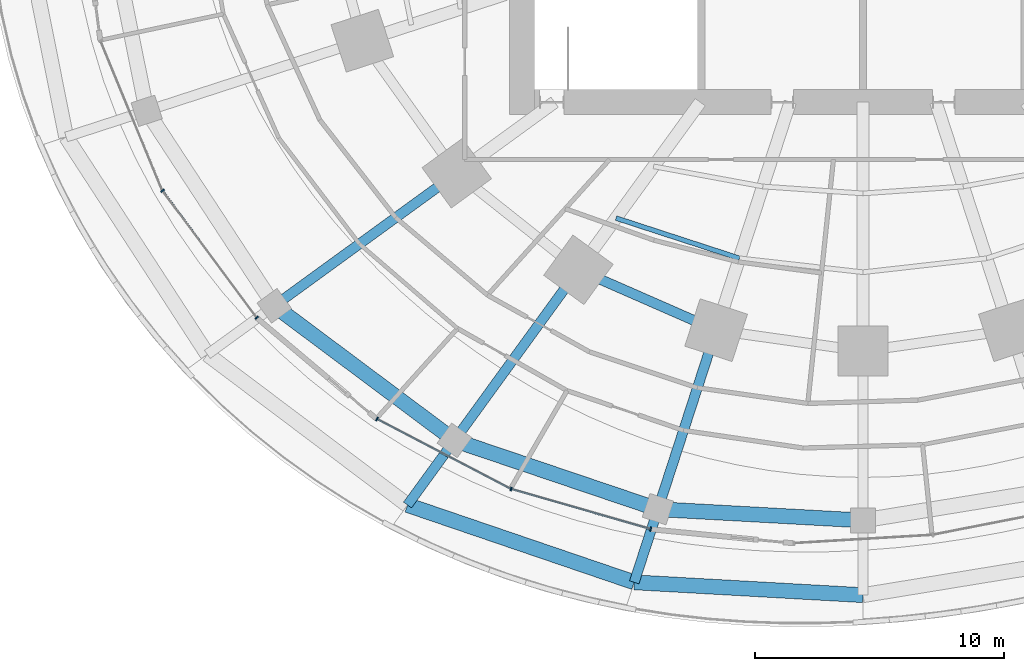
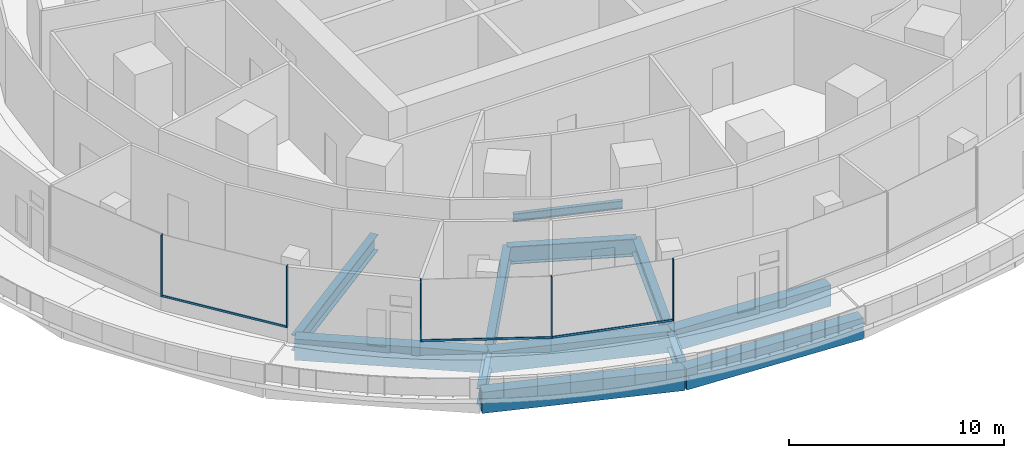
# One storey, part 2 of 26: 12 beams, 8 members, 3 elements without a shape of their own.
"""IFC4 building model written with IfcOpenShell, lengths in metres."""

import ifcopenshell
import ifcopenshell.guid

model = None  # the IFC model being written
_history = None  # IfcOwnerHistory: only IFC2X3 demands one
_inside = {}  # id of a spatial element -> (the spatial element, [elements in it])
_under = {}  # id of a project, library or spatial element -> (it, [spatial elements below it])
_declared = {}  # id of a project -> (the project, [libraries it declares])
_typed = {}  # id of a type object -> (the type object, [elements of that type])
_made_of = {}  # id of a material, layer set ... -> (it, [elements and type objects made of it])


def new_model(schema):
    """Start an empty IFC model of exactly this schema.

    Asked for "IFC4X3", IfcOpenShell would pick the latest addendum, in which some entities
    have other attributes; the version numbers below select the first issue.
    IFC2X3 requires an IfcOwnerHistory on every rooted entity: one is made here for all.
    """
    global model, _history
    if schema == "IFC4X3":
        model = ifcopenshell.file(schema_version=(4, 3, 0, 0))
    else:
        model = ifcopenshell.file(schema=schema)
    _inside.clear()
    _under.clear()
    _declared.clear()
    _typed.clear()
    _made_of.clear()
    _history = None
    if model.schema == "IFC2X3":
        org = make("IfcOrganization", Name="unknown")
        user = make(
            "IfcPersonAndOrganization",
            ThePerson=make("IfcPerson", FamilyName="unknown"),
            TheOrganization=org,
        )
        app = make(
            "IfcApplication",
            ApplicationDeveloper=org,
            Version="unknown",
            ApplicationFullName="unknown",
            ApplicationIdentifier="unknown",
        )
        _history = make(
            "IfcOwnerHistory",
            OwningUser=user,
            OwningApplication=app,
            ChangeAction="ADDED",
            CreationDate=0,
        )
    return model


def make(cls, **values):
    """One entity of the class cls with the attributes given. An attribute that is None is left unset."""
    return model.create_entity(
        cls, **{name: value for name, value in values.items() if value is not None}
    )


def rooted(cls, **values):
    """An entity with a GlobalId (a new one), such as an element, a storey or a relation."""
    return make(cls, GlobalId=ifcopenshell.guid.new(), OwnerHistory=_history, **values)


def si_unit(unit_type, name, prefix=None):
    """IfcSIUnit, for example si_unit("LENGTHUNIT", "METRE", prefix="MILLI")."""
    return make("IfcSIUnit", UnitType=unit_type, Prefix=prefix, Name=name)


def assignment(units):
    """IfcUnitAssignment: the units of a project."""
    return None if units is None else make("IfcUnitAssignment", Units=units)


def point(xyz):
    """IfcCartesianPoint."""
    return None if xyz is None else make("IfcCartesianPoint", Coordinates=xyz)


def direction(xyz):
    """IfcDirection."""
    return None if xyz is None else make("IfcDirection", DirectionRatios=xyz)


def frame(location, z_axis=None, x_axis=None):
    """IfcAxis2Placement3D, a coordinate frame: its origin and axes. An axis left out is left unset."""
    return make(
        "IfcAxis2Placement3D",
        Location=point(location),
        Axis=direction(z_axis),
        RefDirection=direction(x_axis),
    )


def frame_2d(location, x_axis=None):
    """IfcAxis2Placement2D, a coordinate frame in the plane: its origin and x axis."""
    return make(
        "IfcAxis2Placement2D", Location=point(location), RefDirection=direction(x_axis)
    )


def origin():
    """The frame at (0, 0, 0) with its axes left unset."""
    return frame((0.0, 0.0, 0.0))


def origin_2d():
    """The frame at (0, 0) in the plane with its x axis left unset."""
    return frame_2d((0.0, 0.0))


def place(relative_to, where):
    """IfcLocalPlacement: puts the frame where relative to a parent placement (None: the world)."""
    return make(
        "IfcLocalPlacement", PlacementRelTo=relative_to, RelativePlacement=where
    )


def context(
    kind, dimensions, precision=None, world=None, true_north=None, identifier=None
):
    """IfcGeometricRepresentationContext, for example the 3D "Model" context."""
    return make(
        "IfcGeometricRepresentationContext",
        ContextIdentifier=identifier,
        ContextType=kind,
        CoordinateSpaceDimension=dimensions,
        Precision=precision,
        WorldCoordinateSystem=world,
        TrueNorth=true_north,
    )


def subcontext(parent, identifier, kind, view, scale=None):
    """IfcGeometricRepresentationSubContext, for example "Body" below "Model"."""
    return make(
        "IfcGeometricRepresentationSubContext",
        ContextIdentifier=identifier,
        ContextType=kind,
        ParentContext=parent,
        TargetScale=scale,
        TargetView=view,
    )


def project(units=None, contexts=None):
    """IfcProject with its units and contexts."""
    return rooted(
        "IfcProject",
        Name="project",
        RepresentationContexts=contexts,
        UnitsInContext=assignment(units),
    )


def spatial(cls, under=None, at=None, **own):
    """A site, building, storey or space (cls), placed at a placement, below another one or the project."""
    s = rooted(cls, ObjectPlacement=at, **own)
    if under is not None:
        _under.setdefault(under.id(), (under, []))[1].append(s)
    return s


def profile(cls, at=None, kind="AREA", **sizes):
    """A parametric profile (cls). Its sizes go by their IFC names, for example OverallWidth=200.0."""
    return make(cls, ProfileType=kind, Position=at, **sizes)


def rectangle(**sizes):
    """IfcRectangleProfileDef."""
    return profile("IfcRectangleProfileDef", **sizes)


def i_section(**sizes):
    """IfcIShapeProfileDef."""
    return profile("IfcIShapeProfileDef", **sizes)


def extrude(swept, where, along, depth):
    """IfcExtrudedAreaSolid: the profile swept, set in the frame where, extruded along a direction by depth."""
    return make(
        "IfcExtrudedAreaSolid",
        SweptArea=swept,
        Position=where,
        ExtrudedDirection=direction(along),
        Depth=depth,
    )


def shape(context_of_items, identifier, shape_type, items):
    """IfcShapeRepresentation: the items that make up one representation, for example the "Body"."""
    return make(
        "IfcShapeRepresentation",
        ContextOfItems=context_of_items,
        RepresentationIdentifier=identifier,
        RepresentationType=shape_type,
        Items=items,
    )


def material(Name=None, Category=None):
    """IfcMaterial."""
    return make("IfcMaterial", Name=Name, Category=Category)


def material_profile(
    of_material, cross_section, Name=None, Category=None, Priority=None
):
    """IfcMaterialProfile: a cross section and its material."""
    return make(
        "IfcMaterialProfile",
        Name=Name,
        Material=of_material,
        Profile=cross_section,
        Priority=Priority,
        Category=Category,
    )


def profile_set(profiles, Name=None, composite=None):
    """IfcMaterialProfileSet."""
    return make(
        "IfcMaterialProfileSet",
        Name=Name,
        MaterialProfiles=profiles,
        CompositeProfile=composite,
    )


def made_of(thing, what):
    """Note that an element or type object is made of a material, layer set ...; save() writes the relation."""
    if what is not None:
        _made_of.setdefault(what.id(), (what, []))[1].append(thing)
    return thing


def type_object(cls, material=None, **own):
    """A type object (cls), such as IfcWallType, which elements share."""
    return made_of(rooted(cls, **own), material)


def element(
    cls,
    number,
    at=None,
    inside=None,
    cuts=None,
    type_object=None,
    material=None,
    context=None,
    identifier="Body",
    shape_type=None,
    held_by="IfcProductDefinitionShape",
    body=None,
    shapes=None,
    **own,
):
    """One element of the class cls, such as IfcWall. Its Tag is "e" and its number.

    at: its placement. inside: the storey or other place that contains it. cuts: it is an
    opening in that element (IfcRelVoidsElement). A single representation is given by context,
    identifier, shape_type and body (its items); several are given by shapes. held_by: the class
    of the entity that holds the representations. save() writes the other relations.
    """
    e = rooted(cls, Tag="e%d" % number, ObjectPlacement=at, **own)
    if body is not None:
        shapes = [shape(context, identifier, shape_type, body)]
    if shapes is not None:
        e.Representation = make(held_by, Representations=shapes)
    if inside is not None:
        _inside.setdefault(inside.id(), (inside, []))[1].append(e)
    if cuts is not None:
        rooted(
            "IfcRelVoidsElement", RelatingBuildingElement=cuts, RelatedOpeningElement=e
        )
    if type_object is not None:
        _typed.setdefault(type_object.id(), (type_object, []))[1].append(e)
    return made_of(e, material)


def aggregate(whole, parts):
    """IfcRelAggregates: a whole, such as a stair, and the parts it consists of."""
    return rooted("IfcRelAggregates", RelatingObject=whole, RelatedObjects=parts)


def save(model, path):
    """Write the relations noted so far, then the file.

    IfcRelAggregates (storeys below a building ...), IfcRelContainedInSpatialStructure (elements
    in a storey), IfcRelDefinesByType, IfcRelAssociatesMaterial and IfcRelDeclares: one each for
    every whole, place, type object, material and project.
    """
    for whole, parts in _under.values():
        aggregate(whole, parts)
    for where, things in _inside.values():
        rooted(
            "IfcRelContainedInSpatialStructure",
            RelatedElements=things,
            RelatingStructure=where,
        )
    for kind, things in _typed.values():
        rooted("IfcRelDefinesByType", RelatedObjects=things, RelatingType=kind)
    for what, things in _made_of.values():
        rooted("IfcRelAssociatesMaterial", RelatedObjects=things, RelatingMaterial=what)
    for by, libraries in _declared.values():
        rooted("IfcRelDeclares", RelatingContext=by, RelatedDefinitions=libraries)
    model.write(path)


model = new_model("IFC4")

# Units and contexts
model_context = context("Model", 3, precision=1e-05, world=origin(), true_north=direction((0.0, 1.0)))
body_context = subcontext(model_context, "Body", "Model", "MODEL_VIEW")
ifc_project = project(units=[si_unit("LENGTHUNIT", "METRE"), si_unit("AREAUNIT", "SQUARE_METRE"), si_unit("VOLUMEUNIT", "CUBIC_METRE"), si_unit("PLANEANGLEUNIT", "RADIAN"), si_unit("MASSUNIT", "GRAM", prefix="KILO")], contexts=[model_context])

# Site, building, storey
site_placement = place(None, origin())
site = spatial("IfcSite", under=ifc_project, at=site_placement, CompositionType="ELEMENT")
building_placement = place(site_placement, origin())
building = spatial("IfcBuilding", under=site, at=building_placement, Name="Marramba Exchange Tower", CompositionType="ELEMENT")
storey_placement = place(building_placement, frame((0.0, 0.0, 15.10009765625)))
storey = spatial("IfcBuildingStorey", under=building, at=storey_placement, Name="L03", CompositionType="ELEMENT", Elevation=15.10009765625)

# Beams
ifc_material_1 = material(Name="Concrete N50", Category="concrete")
ifc_material_profile_1 = material_profile(ifc_material_1, rectangle(XDim=0.60009765625, YDim=1.199951171875, at=origin_2d()), Name="RC 600x1200")
ifc_profile_set_1 = profile_set([ifc_material_profile_1], Name="Concrete N50")
beam_type_1 = type_object("IfcBeamType", Name="Edge beam RC 600x1200 N50", PredefinedType="SPANDREL", material=ifc_profile_set_1)
beam_1_placement = place(storey_placement, frame((-18.29443359375, -25.18017578125, -0.85009765625), z_axis=(0.946485697002, -0.322745759649, 0.0), x_axis=(0.322745759649, 0.946485697002, 0.0)))
element("IfcBeam", 1, at=beam_1_placement, inside=storey, type_object=beam_type_1, Name="Edge beam L03 P2C14", PredefinedType="SPANDREL", context=body_context, shape_type="SweptSolid", body=[
    extrude(rectangle(XDim=0.60009765625, YDim=1.199951171875, at=origin_2d()), origin(), (0.0, 0.0, 1.0), 9.618896484375),
])
beam_2_placement = place(storey_placement, frame((-9.190185546875, -28.28466796875, -0.85009765625), z_axis=(0.998431244986, -0.055991508598, 0.0), x_axis=(0.055991508598, 0.998431244986, 0.0)))
element("IfcBeam", 2, at=beam_2_placement, inside=storey, type_object=beam_type_1, Name="Edge beam L03 P2C15", PredefinedType="SPANDREL", context=body_context, shape_type="SweptSolid", body=[
    extrude(rectangle(XDim=0.60009765625, YDim=1.199951171875, at=origin_2d()), origin(), (0.0, 0.0, 1.0), 9.20458984375),
])
beam_3_placement = place(storey_placement, frame((-23.644775390625, -17.178955078125, -0.800048828125), z_axis=(0.801143536075, -0.598472250489, 0.0), x_axis=(0.598472250489, 0.801143536075, 0.0)))
element("IfcBeam", 3, at=beam_3_placement, inside=storey, type_object=beam_type_1, Name="Edge beam L03 P3C13", PredefinedType="SPANDREL", context=body_context, shape_type="SweptSolid", body=[
    extrude(rectangle(XDim=0.60009765625, YDim=1.199951171875, at=origin_2d()), origin(), (0.0, 0.0, 1.0), 9.0322265625),
])
beam_4_placement = place(storey_placement, frame((-16.40869140625, -22.58447265625, -0.800048828125), z_axis=(0.947330534482, -0.320257487715, 0.0), x_axis=(0.320257487715, 0.947330534482, 0.0)))
element("IfcBeam", 4, at=beam_4_placement, inside=storey, type_object=beam_type_1, Name="Edge beam L03 P3C14", PredefinedType="SPANDREL", context=body_context, shape_type="SweptSolid", body=[
    extrude(rectangle(XDim=0.60009765625, YDim=1.199951171875, at=origin_2d()), origin(), (0.0, 0.0, 1.0), 8.627197265625),
])
beam_5_placement = place(storey_placement, frame((-8.23583984375, -25.347412109375, -0.800048828125), z_axis=(0.998493145598, -0.054876572358, 0.0), x_axis=(0.054876572358, 0.998493145598, 0.0)))
element("IfcBeam", 5, at=beam_5_placement, inside=storey, type_object=beam_type_1, Name="Edge beam L03 P3C15", PredefinedType="SPANDREL", context=body_context, shape_type="SweptSolid", body=[
    extrude(rectangle(XDim=0.60009765625, YDim=1.199951171875, at=origin_2d()), origin(), (0.0, 0.0, 1.0), 8.248291015625),
])
ifc_material_2 = material(Name="Steel AS/NZS 3679.1 grade 300", Category="steel")
ifc_material_profile_2 = material_profile(ifc_material_2, i_section(OverallWidth=0.18994140625, OverallDepth=0.4541015625, WebThickness=0.008544921875, FlangeThickness=0.0126953125, FilletRadius=0.011474609375, at=origin_2d()), Name="460UB67.1")
ifc_profile_set_2 = profile_set([ifc_material_profile_2], Name="Steel AS/NZS 3679.1 grade 300")
beam_type_2 = type_object("IfcBeamType", Name="Floor joist 460UB67.1", PredefinedType="JOIST", material=ifc_profile_set_2)
beam_6_placement = place(storey_placement, frame((-9.9208984375, -13.655029296875, -0.427001953125), z_axis=(0.950764024931, -0.309915744834, 0.0), x_axis=(0.309915744834, 0.950764024931, 0.0)))
element("IfcBeam", 6, at=beam_6_placement, inside=storey, type_object=beam_type_2, Name="Joist L03 bay 14 row 2", PredefinedType="JOIST", context=body_context, shape_type="SweptSolid", body=[
    extrude(i_section(OverallWidth=0.18994140625, OverallDepth=0.4541015625, WebThickness=0.008544921875, FlangeThickness=0.0126953125, FilletRadius=0.011474609375, at=origin_2d()), origin(), (0.0, 0.0, 1.0), 5.2158203125),
])

# Curtain wall, members
ifc_material_3 = material(Name="Aluminium framing, bronze anodised", Category="aluminium")
curtain_wall_type = type_object("IfcCurtainWallType", Name="Podium ribbon curtain wall", PredefinedType="USERDEFINED", material=ifc_material_3)
curtain_wall_1_placement = place(storey_placement, origin())
curtain_wall_1 = element("IfcCurtainWall", 7, at=curtain_wall_1_placement, inside=storey, type_object=curtain_wall_type, Name="Curtain wall CW2 L03 F17-F18", ObjectType="RIBBON CURTAIN WALL", PredefinedType="USERDEFINED")
ifc_material_4 = material(Name="Aluminium mullion, bronze anodised", Category="aluminium")
ifc_material_profile_3 = material_profile(ifc_material_4, rectangle(XDim=0.159912109375, YDim=0.06005859375, at=origin_2d()), Name="CW2 mullion 60x160")
ifc_profile_set_3 = profile_set([ifc_material_profile_3], Name="Aluminium mullion, bronze anodised")
member_type_1 = type_object("IfcMemberType", Name="Podium ribbon curtain wall mullion", PredefinedType="MULLION", material=ifc_profile_set_3)
member_1_placement = place(storey_placement, frame((-28.130859375, -12.556640625, 0.7998046875), z_axis=(0.0, 0.0, 1.0), x_axis=(0.803200642931, 0.595708592515, 0.0)))
member_1 = element("IfcMember", 8, at=member_1_placement, type_object=member_type_1, Name="CW2 mullion 1", PredefinedType="MULLION", context=body_context, shape_type="SweptSolid", body=[
    extrude(rectangle(XDim=0.159912109375, YDim=0.06005859375, at=origin_2d()), origin(), (0.0, 0.0, 1.0), 3.5),
])
member_2_placement = place(storey_placement, frame((-24.35009765625, -17.654296875, 0.7998046875), z_axis=(0.0, 0.0, 1.0), x_axis=(0.803200642931, 0.595708592515, 0.0)))
member_2 = element("IfcMember", 9, at=member_2_placement, type_object=member_type_1, Name="CW2 mullion 2", PredefinedType="MULLION", context=body_context, shape_type="SweptSolid", body=[
    extrude(rectangle(XDim=0.159912109375, YDim=0.06005859375, at=origin_2d()), origin(), (0.0, 0.0, 1.0), 3.5),
])

# Curtain wall, member
curtain_wall_2_placement = place(storey_placement, origin())
curtain_wall_2 = element("IfcCurtainWall", 10, at=curtain_wall_2_placement, inside=storey, type_object=curtain_wall_type, Name="Curtain wall CW2 L03 F20", ObjectType="RIBBON CURTAIN WALL", PredefinedType="USERDEFINED")
member_3_placement = place(storey_placement, frame((-19.521240234375, -21.72412109375, 0.7998046875), z_axis=(0.0, 0.0, 1.0), x_axis=(0.463566904687, 0.886061919325, 0.0)))
member_3 = element("IfcMember", 11, at=member_3_placement, type_object=member_type_1, Name="CW2 mullion 1", PredefinedType="MULLION", context=body_context, shape_type="SweptSolid", body=[
    extrude(rectangle(XDim=0.159912109375, YDim=0.06005859375, at=origin_2d()), origin(), (0.0, 0.0, 1.0), 3.5),
])

# Curtain wall, members
curtain_wall_3_placement = place(storey_placement, origin())
curtain_wall_3 = element("IfcCurtainWall", 12, at=curtain_wall_3_placement, inside=storey, type_object=curtain_wall_type, Name="Curtain wall CW2 L03 F21", ObjectType="RIBBON CURTAIN WALL", PredefinedType="USERDEFINED")
member_4_placement = place(storey_placement, frame((-14.132568359375, -24.53662109375, 0.7998046875), z_axis=(0.0, 0.0, 1.0), x_axis=(0.276242538772, 0.961087956315, 0.0)))
member_4 = element("IfcMember", 13, at=member_4_placement, type_object=member_type_1, Name="CW2 mullion 1", PredefinedType="MULLION", context=body_context, shape_type="SweptSolid", body=[
    extrude(rectangle(XDim=0.159912109375, YDim=0.06005859375, at=origin_2d()), origin(), (0.0, 0.0, 1.0), 3.5),
])
member_5_placement = place(storey_placement, frame((-8.52734375, -26.147705078125, 0.7998046875), z_axis=(0.0, 0.0, 1.0), x_axis=(0.276242538772, 0.961087956315, 0.0)))
member_5 = element("IfcMember", 14, at=member_5_placement, type_object=member_type_1, Name="CW2 mullion 2", PredefinedType="MULLION", context=body_context, shape_type="SweptSolid", body=[
    extrude(rectangle(XDim=0.159912109375, YDim=0.06005859375, at=origin_2d()), origin(), (0.0, 0.0, 1.0), 3.5),
])

# Member
ifc_material_5 = material(Name="Aluminium transom, bronze anodised", Category="aluminium")
ifc_material_profile_4 = material_profile(ifc_material_5, rectangle(XDim=0.06005859375, YDim=0.1201171875, at=origin_2d()), Name="CW2 transom 60x120")
ifc_profile_set_4 = profile_set([ifc_material_profile_4], Name="Aluminium transom, bronze anodised")
member_type_2 = type_object("IfcMemberType", Name="Podium ribbon curtain wall transom", PredefinedType="USERDEFINED", material=ifc_profile_set_4)
member_6_placement = place(storey_placement, frame((-28.113037109375, -12.580810546875, 0.829833984375), z_axis=(0.595685318097, -0.80321790431, 0.0), x_axis=(0.80321790431, 0.595685318097, 0.0)))
member_6 = element("IfcMember", 15, at=member_6_placement, type_object=member_type_2, Name="CW2 sill transom", ObjectType="TRANSOM", PredefinedType="USERDEFINED", context=body_context, shape_type="SweptSolid", body=[
    extrude(rectangle(XDim=0.06005859375, YDim=0.1201171875, at=origin_2d()), origin(), (0.0, 0.0, 1.0), 6.28662109375),
])

aggregate(curtain_wall_1, [member_1, member_2, member_6])

member_7_placement = place(storey_placement, frame((-19.494873046875, -21.738037109375, 0.829833984375), z_axis=(0.886067201235, -0.463556808703, 0.0), x_axis=(0.463556808703, 0.886067201235, 0.0)))
member_7 = element("IfcMember", 16, at=member_7_placement, type_object=member_type_2, Name="CW2 sill transom", ObjectType="TRANSOM", PredefinedType="USERDEFINED", context=body_context, shape_type="SweptSolid", body=[
    extrude(rectangle(XDim=0.06005859375, YDim=0.1201171875, at=origin_2d()), origin(), (0.0, 0.0, 1.0), 6.019287109375),
])

aggregate(curtain_wall_2, [member_3, member_7])

member_8_placement = place(storey_placement, frame((-14.103759765625, -24.544921875, 0.829833984375), z_axis=(0.961090220229, -0.276234662162, 0.0), x_axis=(0.276234662162, 0.961090220229, 0.0)))
member_8 = element("IfcMember", 17, at=member_8_placement, type_object=member_type_2, Name="CW2 sill transom", ObjectType="TRANSOM", PredefinedType="USERDEFINED", context=body_context, shape_type="SweptSolid", body=[
    extrude(rectangle(XDim=0.06005859375, YDim=0.1201171875, at=origin_2d()), origin(), (0.0, 0.0, 1.0), 5.772216796875),
])

aggregate(curtain_wall_3, [member_4, member_5, member_8])

# Beams
ifc_material_6 = material(Name="Steel AS/NZS 3679.2 grade 300", Category="steel")
ifc_material_profile_5 = material_profile(ifc_material_6, i_section(OverallWidth=0.39990234375, OverallDepth=0.89990234375, WebThickness=0.01611328125, FlangeThickness=0.031982421875, at=origin_2d()), Name="900WB282")
ifc_profile_set_5 = profile_set([ifc_material_profile_5], Name="Steel AS/NZS 3679.2 grade 300")
beam_type_3 = type_object("IfcBeamType", Name="Radial girder 900WB282", PredefinedType="BEAM", material=ifc_profile_set_5)
beam_7_placement = place(storey_placement, frame((-18.29443359375, -25.18017578125, -0.7001953125), z_axis=(0.587755361263, 0.809038710635, 0.0), x_axis=(-0.809038710635, 0.587755361263, 0.0)))
element("IfcBeam", 18, at=beam_7_placement, inside=storey, type_object=beam_type_3, Name="Radial girder L03 P2C14", PredefinedType="BEAM", context=body_context, shape_type="SweptSolid", body=[
    extrude(i_section(OverallWidth=0.39990234375, OverallDepth=0.89990234375, WebThickness=0.01611328125, FlangeThickness=0.031982421875, at=origin_2d()), origin(), (0.0, 0.0, 1.0), 3.20849609375),
])
beam_8_placement = place(storey_placement, frame((-9.190185546875, -28.28466796875, -0.7001953125), z_axis=(0.309009210268, 0.951059045469, 0.0), x_axis=(-0.951059045469, 0.309009210268, 0.0)))
element("IfcBeam", 19, at=beam_8_placement, inside=storey, type_object=beam_type_3, Name="Radial girder L03 P2C15", PredefinedType="BEAM", context=body_context, shape_type="SweptSolid", body=[
    extrude(i_section(OverallWidth=0.39990234375, OverallDepth=0.89990234375, WebThickness=0.01611328125, FlangeThickness=0.031982421875, at=origin_2d()), origin(), (0.0, 0.0, 1.0), 3.08837890625),
])
beam_9_placement = place(storey_placement, frame((-23.644775390625, -17.178955078125, -0.650146484375), z_axis=(0.809011012896, 0.587793485004, 0.0), x_axis=(-0.587793485004, 0.809011012896, 0.0)))
element("IfcBeam", 20, at=beam_9_placement, inside=storey, type_object=beam_type_3, Name="Radial girder L03 P3C13", PredefinedType="BEAM", context=body_context, shape_type="SweptSolid", body=[
    extrude(i_section(OverallWidth=0.39990234375, OverallDepth=0.89990234375, WebThickness=0.01611328125, FlangeThickness=0.031982421875, at=origin_2d()), origin(), (0.0, 0.0, 1.0), 9.0595703125),
])
beam_10_placement = place(storey_placement, frame((-16.40869140625, -22.58447265625, -0.650146484375), z_axis=(0.58779626967, 0.809008989667, 0.0), x_axis=(-0.809008989667, 0.58779626967, 0.0)))
element("IfcBeam", 21, at=beam_10_placement, inside=storey, type_object=beam_type_3, Name="Radial girder L03 P3C14", PredefinedType="BEAM", context=body_context, shape_type="SweptSolid", body=[
    extrude(i_section(OverallWidth=0.39990234375, OverallDepth=0.89990234375, WebThickness=0.01611328125, FlangeThickness=0.031982421875, at=origin_2d()), origin(), (0.0, 0.0, 1.0), 8.469482421875),
])
beam_11_placement = place(storey_placement, frame((-8.23583984375, -25.347412109375, -0.650146484375), z_axis=(0.309001370997, 0.951061592497, 0.0), x_axis=(-0.951061592497, 0.309001370997, 0.0)))
element("IfcBeam", 22, at=beam_11_placement, inside=storey, type_object=beam_type_3, Name="Radial girder L03 P3C15", PredefinedType="BEAM", context=body_context, shape_type="SweptSolid", body=[
    extrude(i_section(OverallWidth=0.39990234375, OverallDepth=0.89990234375, WebThickness=0.01611328125, FlangeThickness=0.031982421875, at=origin_2d()), origin(), (0.0, 0.0, 1.0), 7.560546875),
])
ifc_material_profile_6 = material_profile(ifc_material_6, i_section(OverallWidth=0.39990234375, OverallDepth=1.0, WebThickness=0.01611328125, FlangeThickness=0.031982421875, at=origin_2d()), Name="1000WB322")
ifc_profile_set_6 = profile_set([ifc_material_profile_6], Name="Steel AS/NZS 3679.2 grade 300")
beam_type_4 = type_object("IfcBeamType", Name="Ring beam 1000WB322", PredefinedType="SPANDREL", material=ifc_profile_set_6)
beam_12_placement = place(storey_placement, frame((-11.430419921875, -15.732666015625, -0.7001953125), z_axis=(0.915876892158, -0.4014592363, 0.0), x_axis=(0.4014592363, 0.915876892158, 0.0)))
element("IfcBeam", 23, at=beam_12_placement, inside=storey, type_object=beam_type_4, Name="Ring beam L03 TC14-TC15", PredefinedType="SPANDREL", context=body_context, shape_type="SweptSolid", body=[
    extrude(i_section(OverallWidth=0.39990234375, OverallDepth=1.0, WebThickness=0.01611328125, FlangeThickness=0.031982421875, at=origin_2d()), origin(), (0.0, 0.0, 1.0), 6.038818359375),
])

save(model, "model.ifc")
